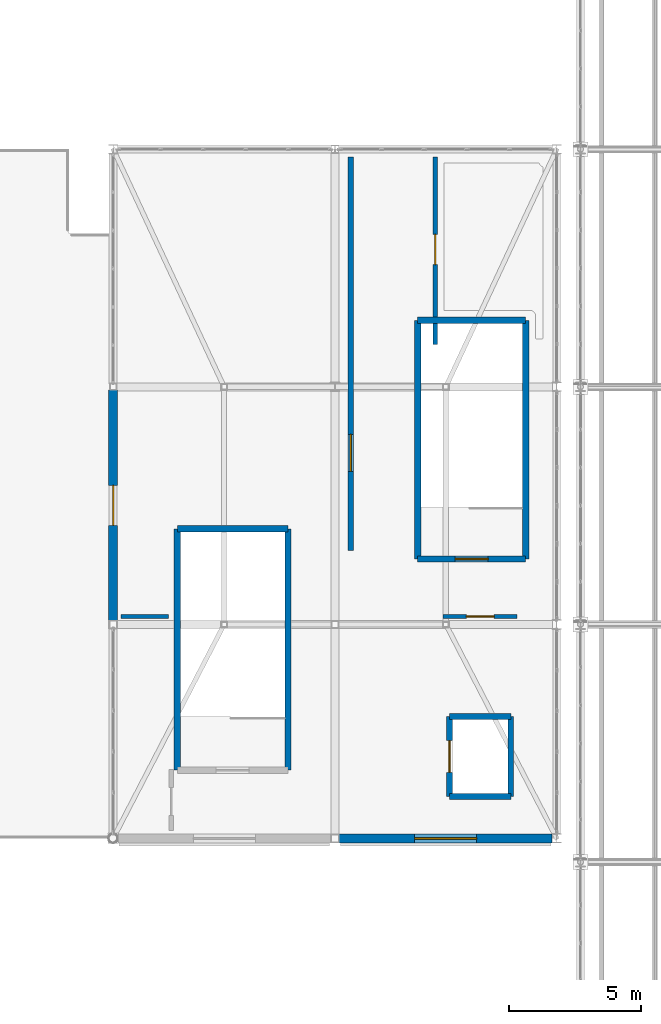
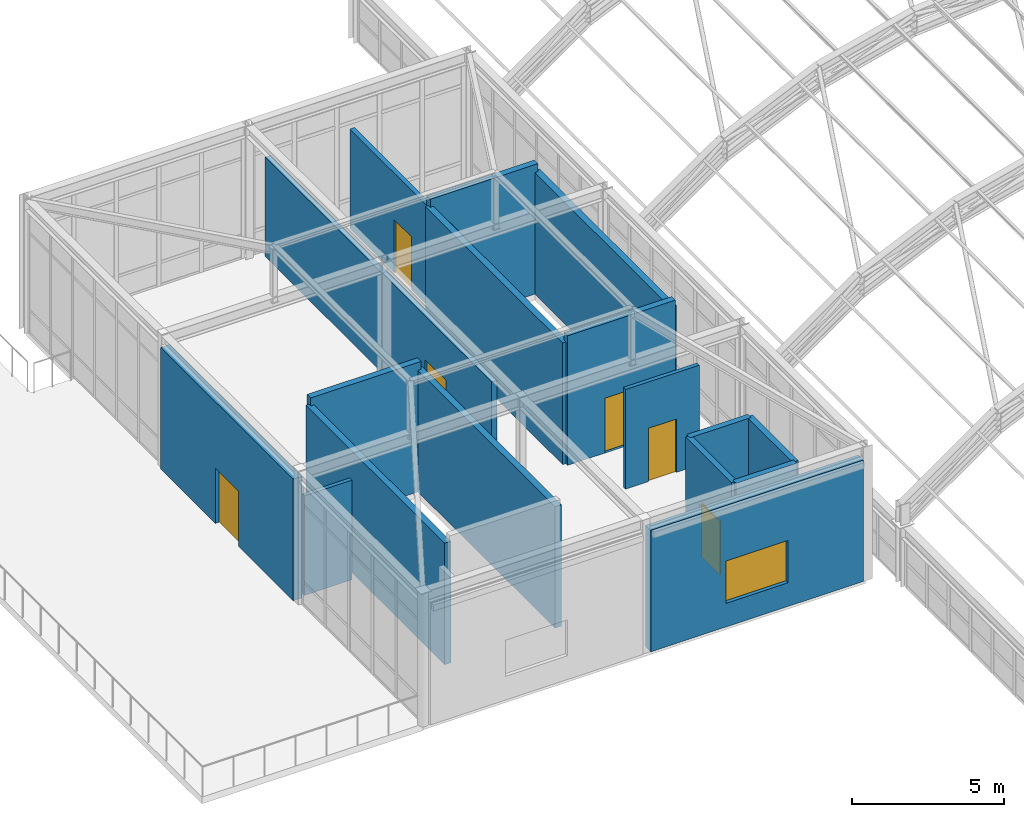
# One storey, part 117 of 121: 17 walls, 6 doors, 1 window, 7 openings.
"""IFC4 building model written with IfcOpenShell, lengths in metres."""

from ifc_helpers import new_model, si_unit, direction, frame, frame_2d, origin, place, context, subcontext, project, spatial, rectangle, extrude, material, layer, layer_set, type_object, element, fill, save


model = new_model("IFC4")

# Units and contexts
model_context = context("Model", 3, precision=1e-05, world=origin(), true_north=direction((0.0, 1.0)))
body_context = subcontext(model_context, "Body", "Model", "MODEL_VIEW")
ifc_project = project(units=[si_unit("LENGTHUNIT", "METRE"), si_unit("AREAUNIT", "SQUARE_METRE"), si_unit("VOLUMEUNIT", "CUBIC_METRE"), si_unit("PLANEANGLEUNIT", "RADIAN"), si_unit("MASSUNIT", "GRAM", prefix="KILO")], contexts=[model_context])

# Site, building, storey
site_placement = place(None, origin())
site = spatial("IfcSite", under=ifc_project, at=site_placement, CompositionType="ELEMENT")
building_placement = place(site_placement, origin())
building = spatial("IfcBuilding", under=site, at=building_placement, Name="Canglan Escarpment Cableway Terminal", CompositionType="ELEMENT")
storey_placement = place(building_placement, frame((0.0, 0.0, 24.60009765625)))
storey = spatial("IfcBuildingStorey", under=building, at=storey_placement, Name="L05", CompositionType="ELEMENT", Elevation=24.60009765625)

# Walls
ifc_material_1 = material(Name="Concrete C40", Category="concrete")
ifc_layer_1 = layer(ifc_material_1, 0.239990234375, Name="Concrete C40")
ifc_layer_set_1 = layer_set([ifc_layer_1], Name="Concrete C40")
wall_type_1 = type_object("IfcWallType", Name="WL-CORE-SHEAR-240", PredefinedType="SHEAR", material=ifc_layer_set_1)
wall_1_placement = place(storey_placement, frame((126.52001953125, 91.47998046875, 0.0), z_axis=(0.0, 0.0, 1.0), x_axis=(0.0, 1.0, 0.0)))
element("IfcWall", 1, at=wall_1_placement, inside=storey, type_object=wall_type_1, Name="Protected stair core wall ST-12 (L05)", PredefinedType="SHEAR", context=body_context, shape_type="SweptSolid", body=[
    extrude(rectangle(XDim=9.14013671875, YDim=0.239990234375, at=frame_2d((4.570068359375, 0.0))), origin(), (0.0, 0.0, 1.0), 4.880859375),
])
wall_2_placement = place(storey_placement, frame((126.52001953125, 100.6201171875, 0.0), z_axis=(0.0, 0.0, 1.0), x_axis=(-1.0, 0.0, 0.0)))
element("IfcWall", 2, at=wall_2_placement, inside=storey, type_object=wall_type_1, Name="Protected stair core wall ST-12 (L05)", PredefinedType="SHEAR", context=body_context, shape_type="SweptSolid", body=[
    extrude(rectangle(XDim=4.18994140625, YDim=0.239990234375, at=frame_2d((2.094970703125, 0.0))), origin(), (0.0, 0.0, 1.0), 5.199951171875),
])
wall_3_placement = place(storey_placement, frame((122.330078125, 100.6201171875, 0.0), z_axis=(0.0, 0.0, 1.0), x_axis=(0.0, -1.0, 0.0)))
element("IfcWall", 3, at=wall_3_placement, inside=storey, type_object=wall_type_1, Name="Protected stair core wall ST-12 (L05)", PredefinedType="SHEAR", context=body_context, shape_type="SweptSolid", body=[
    extrude(rectangle(XDim=9.14013671875, YDim=0.239990234375, at=frame_2d((4.570068359375, 0.0))), origin(), (0.0, 0.0, 1.0), 4.880859375),
])
wall_4_placement = place(storey_placement, frame((135.52001953125, 99.47998046875, 0.0), z_axis=(0.0, 0.0, 1.0), x_axis=(0.0, 1.0, 0.0)))
element("IfcWall", 4, at=wall_4_placement, inside=storey, type_object=wall_type_1, Name="Protected stair core wall ST-18 (L05)", PredefinedType="SHEAR", context=body_context, shape_type="SweptSolid", body=[
    extrude(rectangle(XDim=9.0400390625, YDim=0.239990234375, at=frame_2d((4.52001953125, 0.0))), origin(), (0.0, 0.0, 1.0), 4.880859375),
])
wall_5_placement = place(storey_placement, frame((135.52001953125, 108.52001953125, 0.0), z_axis=(0.0, 0.0, 1.0), x_axis=(-1.0, 0.0, 0.0)))
element("IfcWall", 5, at=wall_5_placement, inside=storey, type_object=wall_type_1, Name="Protected stair core wall ST-18 (L05)", PredefinedType="SHEAR", context=body_context, shape_type="SweptSolid", body=[
    extrude(rectangle(XDim=4.090087890625, YDim=0.239990234375, at=frame_2d((2.044921875, 0.0))), origin(), (0.0, 0.0, 1.0), 5.199951171875),
])
wall_6_placement = place(storey_placement, frame((131.429931640625, 108.52001953125, 0.0), z_axis=(0.0, 0.0, 1.0), x_axis=(0.0, -1.0, 0.0)))
element("IfcWall", 6, at=wall_6_placement, inside=storey, type_object=wall_type_1, Name="Protected stair core wall ST-18 (L05)", PredefinedType="SHEAR", context=body_context, shape_type="SweptSolid", body=[
    extrude(rectangle(XDim=9.0400390625, YDim=0.239990234375, at=frame_2d((4.52001953125, 0.0))), origin(), (0.0, 0.0, 1.0), 4.880859375),
])

# Wall, opening, door
wall_7_placement = place(storey_placement, frame((131.429931640625, 99.47998046875, 0.0), z_axis=(0.0, 0.0, 1.0), x_axis=(1.0, 0.0, 0.0)))
wall_7 = element("IfcWall", 7, at=wall_7_placement, inside=storey, type_object=wall_type_1, Name="Protected stair core wall ST-18 (L05)", PredefinedType="SHEAR", context=body_context, shape_type="SweptSolid", body=[
    extrude(rectangle(XDim=4.090087890625, YDim=0.239990234375, at=frame_2d((2.044921875, 0.0))), origin(), (0.0, 0.0, 1.0), 5.199951171875),
])
opening_1_placement = place(wall_7_placement, frame((1.419921875, 0.0, 0.0)))
opening_1 = element("IfcOpeningElement", 8, at=opening_1_placement, cuts=wall_7, Name="Opening SD-D1", PredefinedType="OPENING", context=body_context, shape_type="SweptSolid", body=[
    extrude(rectangle(XDim=1.25, YDim=2.199951171875, at=frame_2d((0.625, 1.10009765625))), frame((0.0, 0.1298828125, 0.0), z_axis=(0.0, -1.0, 0.0), x_axis=(1.0, 0.0, 0.0)), (0.0, 0.0, 1.0), 0.260009765625),
])
ifc_material_2 = material(Name="Steel fire-resisting stair door", Category="steel")
door_type_1 = type_object("IfcDoorType", Name="DR-STAIR-EI90-1250", OperationType="NOTDEFINED", PredefinedType="DOOR", material=ifc_material_2)
door_1_placement = place(opening_1_placement, origin())
door_1 = element("IfcDoor", 9, at=door_1_placement, inside=storey, type_object=door_type_1, Name="Protected exit stair fire door ST-18 (L05)", OperationType="SINGLE_SWING_LEFT", OverallHeight=2.199951171875, OverallWidth=1.25, PredefinedType="DOOR", context=body_context, shape_type="SweptSolid", body=[
    extrude(rectangle(XDim=1.25, YDim=2.199951171875, at=frame_2d((0.625, 1.10009765625))), frame((0.0, 0.02490234375, 0.0), z_axis=(0.0, -1.0, 0.0), x_axis=(1.0, 0.0, 0.0)), (0.0, 0.0, 1.0), 0.050048828125),
])
fill(opening_1, door_1)

# Wall, opening, window
ifc_material_3 = material(Name="Bush-hammered granite ashlar on Concrete C40", Category="masonry")
ifc_layer_2 = layer(ifc_material_3, 0.340087890625, Name="Bush-hammered granite ashlar on Concrete C40")
ifc_layer_set_2 = layer_set([ifc_layer_2], Name="Bush-hammered granite ashlar on Concrete C40")
wall_type_2 = type_object("IfcWallType", Name="WL-EXT-GRAN-340", PredefinedType="STANDARD", material=ifc_layer_set_2)
wall_8_placement = place(storey_placement, frame((128.449951171875, 88.89990234375, 0.0), z_axis=(0.0, 0.0, 1.0), x_axis=(1.0, 0.0, 0.0)))
wall_8 = element("IfcWall", 10, at=wall_8_placement, inside=storey, type_object=wall_type_2, Name="Classical stone-faced exterior wall EW-FB8-L05-S-02", PredefinedType="STANDARD", context=body_context, shape_type="SweptSolid", body=[
    extrude(rectangle(XDim=8.074951171875, YDim=0.340087890625, at=frame_2d((4.03759765625, 0.0))), origin(), (0.0, 0.0, 1.0), 4.880859375),
])
opening_2_placement = place(wall_8_placement, frame((2.862548828125, 0.0, 0.949951171875)))
opening_2 = element("IfcOpeningElement", 11, at=opening_2_placement, cuts=wall_8, Name="Opening W-22", PredefinedType="OPENING", context=body_context, shape_type="SweptSolid", body=[
    extrude(rectangle(XDim=2.35009765625, YDim=1.699951171875, at=frame_2d((1.175048828125, 0.85009765625))), frame((0.0, 0.18017578125, 0.0), z_axis=(0.0, -1.0, 0.0), x_axis=(1.0, 0.0, 0.0)), (0.0, 0.0, 1.0), 0.360107421875),
])
ifc_material_4 = material(Name="Anodized bronze aluminium and Low-E double glazing", Category="aluminium")
window_type = type_object("IfcWindowType", Name="WIN-EXT-22", PartitioningType="DOUBLE_PANEL_VERTICAL", PredefinedType="WINDOW", material=ifc_material_4)
window_placement = place(opening_2_placement, origin())
window = element("IfcWindow", 12, at=window_placement, inside=storey, type_object=window_type, Name="Classical module window W-22", OverallHeight=1.699951171875, OverallWidth=2.35009765625, PartitioningType="SINGLE_PANEL", PredefinedType="WINDOW", context=body_context, shape_type="SweptSolid", body=[
    extrude(rectangle(XDim=2.35009765625, YDim=1.699951171875, at=frame_2d((1.175048828125, 0.85009765625))), frame((0.0, 0.030029296875, 0.0), z_axis=(0.0, -1.0, 0.0), x_axis=(1.0, 0.0, 0.0)), (0.0, 0.0, 1.0), 0.06005859375),
])
fill(opening_2, window)

# Wall, opening, door
wall_9_placement = place(storey_placement, frame((119.89990234375, 105.875, 0.0), z_axis=(0.0, 0.0, 1.0), x_axis=(0.0, -1.0, 0.0)))
wall_9 = element("IfcWall", 13, at=wall_9_placement, inside=storey, type_object=wall_type_2, Name="Classical stone-faced exterior wall EW-FB8-L05-W-02", PredefinedType="STANDARD", context=body_context, shape_type="SweptSolid", body=[
    extrude(rectangle(XDim=8.72509765625, YDim=0.340087890625, at=frame_2d((4.362548828125, 0.0))), origin(), (0.0, 0.0, 1.0), 4.880859375),
])
opening_3_placement = place(wall_9_placement, frame((3.6025390625, 0.0, 0.0)))
opening_3 = element("IfcOpeningElement", 14, at=opening_3_placement, cuts=wall_9, Name="Opening ED-08", PredefinedType="OPENING", context=body_context, shape_type="SweptSolid", body=[
    extrude(rectangle(XDim=1.52001953125, YDim=2.219970703125, at=frame_2d((0.760009765625, 1.10986328125))), frame((0.0, 0.18017578125, 0.0), z_axis=(0.0, -1.0, 0.0), x_axis=(1.0, 0.0, 0.0)), (0.0, 0.0, 1.0), 0.360107421875),
])
ifc_material_5 = material(Name="Anodized bronze aluminium and tempered safety glass", Category="aluminium")
door_type_2 = type_object("IfcDoorType", Name="DR-EXT-BALC-1520", OperationType="NOTDEFINED", PredefinedType="DOOR", material=ifc_material_5)
door_2_placement = place(opening_3_placement, origin())
door_2 = element("IfcDoor", 15, at=door_2_placement, inside=storey, type_object=door_type_2, Name="Terrace access glazed door ED-08", OperationType="DOUBLE_DOOR_SINGLE_SWING", OverallHeight=2.219970703125, OverallWidth=1.52001953125, PredefinedType="DOOR", context=body_context, shape_type="SweptSolid", body=[
    extrude(rectangle(XDim=1.52001953125, YDim=2.219970703125, at=frame_2d((0.760009765625, 1.10986328125))), frame((0.0, 0.02490234375, 0.0), z_axis=(0.0, -1.0, 0.0), x_axis=(1.0, 0.0, 0.0)), (0.0, 0.0, 1.0), 0.050048828125),
])
fill(opening_3, door_2)

ifc_material_6 = material(Name="Autoclaved aerated concrete blockwork", Category="masonry")
ifc_layer_3 = layer(ifc_material_6, 0.179931640625, Name="Autoclaved aerated concrete blockwork")
ifc_layer_set_3 = layer_set([ifc_layer_3], Name="Autoclaved aerated concrete blockwork")
wall_type_3 = type_object("IfcWallType", Name="WL-INT-FIRE-180-EI60", PredefinedType="PARTITIONING", material=ifc_layer_set_3)
wall_10_placement = place(storey_placement, frame((132.10009765625, 107.60009765625, 0.0), z_axis=(0.0, 0.0, 1.0), x_axis=(0.0, 1.0, 0.0)))
wall_10 = element("IfcWall", 16, at=wall_10_placement, inside=storey, type_object=wall_type_3, Name="Interior partition wall IW-L05-08-MAIN", PredefinedType="PARTITIONING", context=body_context, shape_type="SweptSolid", body=[
    extrude(rectangle(XDim=7.099853515625, YDim=0.179931640625, at=frame_2d((3.5498046875, 0.0))), origin(), (0.0, 0.0, 1.0), 4.0),
])
opening_4_placement = place(wall_10_placement, frame((3.02490234375, 0.0, 0.0)))
opening_4 = element("IfcOpeningElement", 17, at=opening_4_placement, cuts=wall_10, Name="Opening ID-41", PredefinedType="OPENING", context=body_context, shape_type="SweptSolid", body=[
    extrude(rectangle(XDim=1.14990234375, YDim=2.1298828125, at=frame_2d((0.574951171875, 1.06494140625))), frame((0.0, 0.10009765625, 0.0), z_axis=(0.0, -1.0, 0.0), x_axis=(1.0, 0.0, 0.0)), (0.0, 0.0, 1.0), 0.199951171875),
])
ifc_material_7 = material(Name="Stained oak and safety glass door", Category="glass")
door_type_3 = type_object("IfcDoorType", Name="DR-INT-ID-41", OperationType="NOTDEFINED", PredefinedType="DOOR", material=ifc_material_7)
door_3_placement = place(opening_4_placement, origin())
door_3 = element("IfcDoor", 18, at=door_3_placement, inside=storey, type_object=door_type_3, Name="Bullwheel Brake Monitoring Room door ID-41", OperationType="SINGLE_SWING_RIGHT", OverallHeight=2.1298828125, OverallWidth=1.14990234375, PredefinedType="DOOR", context=body_context, shape_type="SweptSolid", body=[
    extrude(rectangle(XDim=1.14990234375, YDim=2.1298828125, at=frame_2d((0.574951171875, 1.06494140625))), frame((0.0, 0.02490234375, 0.0), z_axis=(0.0, -1.0, 0.0), x_axis=(1.0, 0.0, 0.0)), (0.0, 0.0, 1.0), 0.050048828125),
])
fill(opening_4, door_3)

ifc_layer_4 = layer(ifc_material_6, 0.199951171875, Name="Autoclaved aerated concrete blockwork")
ifc_layer_set_4 = layer_set([ifc_layer_4], Name="Autoclaved aerated concrete blockwork")
wall_type_4 = type_object("IfcWallType", Name="WL-INT-FIRE-200-EI90", PredefinedType="PARTITIONING", material=ifc_layer_set_4)
wall_11_placement = place(storey_placement, frame((128.89990234375, 99.800048828125, 0.0), z_axis=(0.0, 0.0, 1.0), x_axis=(0.0, 1.0, 0.0)))
wall_11 = element("IfcWall", 19, at=wall_11_placement, inside=storey, type_object=wall_type_4, Name="Interior partition wall IW-L05-07-MAIN", PredefinedType="PARTITIONING", context=body_context, shape_type="SweptSolid", body=[
    extrude(rectangle(XDim=14.89990234375, YDim=0.199951171875, at=frame_2d((7.449951171875, 0.0))), origin(), (0.0, 0.0, 1.0), 4.0),
])
opening_5_placement = place(wall_11_placement, frame((3.0, 0.0, 0.0)))
opening_5 = element("IfcOpeningElement", 20, at=opening_5_placement, cuts=wall_11, Name="Opening ID-18", PredefinedType="OPENING", context=body_context, shape_type="SweptSolid", body=[
    extrude(rectangle(XDim=1.39990234375, YDim=2.239990234375, at=frame_2d((0.699951171875, 1.1201171875))), frame((0.0, 0.10986328125, 0.0), z_axis=(0.0, -1.0, 0.0), x_axis=(1.0, 0.0, 0.0)), (0.0, 0.0, 1.0), 0.219970703125),
])
ifc_material_8 = material(Name="Fire-rated steel leaf", Category="steel")
door_type_4 = type_object("IfcDoorType", Name="DR-INT-ID-18", OperationType="NOTDEFINED", PredefinedType="DOOR", material=ifc_material_8)
door_4_placement = place(opening_5_placement, origin())
door_4 = element("IfcDoor", 21, at=door_4_placement, inside=storey, type_object=door_type_4, Name="Drive Crane Brake Gallery door ID-18", OperationType="SINGLE_SWING_LEFT", OverallHeight=2.239990234375, OverallWidth=1.39990234375, PredefinedType="DOOR", context=body_context, shape_type="SweptSolid", body=[
    extrude(rectangle(XDim=1.39990234375, YDim=2.239990234375, at=frame_2d((0.699951171875, 1.1201171875))), frame((0.0, 0.02490234375, 0.0), z_axis=(0.0, -1.0, 0.0), x_axis=(1.0, 0.0, 0.0)), (0.0, 0.0, 1.0), 0.050048828125),
])
fill(opening_5, door_4)

ifc_material_9 = material(Name="Acoustic double-stud gypsum partition", Category="gypsum")
ifc_layer_5 = layer(ifc_material_9, 0.14990234375, Name="Acoustic double-stud gypsum partition")
ifc_layer_set_5 = layer_set([ifc_layer_5], Name="Acoustic double-stud gypsum partition")
wall_type_5 = type_object("IfcWallType", Name="WL-INT-PART-150", PredefinedType="PARTITIONING", material=ifc_layer_set_5)
wall_12_placement = place(storey_placement, frame((132.39990234375, 97.300048828125, 0.0), z_axis=(0.0, 0.0, 1.0), x_axis=(1.0, 0.0, 0.0)))
wall_12 = element("IfcWall", 22, at=wall_12_placement, inside=storey, type_object=wall_type_5, Name="Interior partition wall IW-L05-09-MAIN", PredefinedType="PARTITIONING", context=body_context, shape_type="SweptSolid", body=[
    extrude(rectangle(XDim=2.800048828125, YDim=0.14990234375, at=frame_2d((1.39990234375, 0.0))), origin(), (0.0, 0.0, 1.0), 4.0),
])
opening_6_placement = place(wall_12_placement, frame((0.875, 0.0, 0.0)))
opening_6 = element("IfcOpeningElement", 23, at=opening_6_placement, cuts=wall_12, Name="Opening ID-30", PredefinedType="OPENING", context=body_context, shape_type="SweptSolid", body=[
    extrude(rectangle(XDim=1.050048828125, YDim=2.139892578125, at=frame_2d((0.52490234375, 1.06982421875))), frame((0.0, 0.0849609375, 0.0), z_axis=(0.0, -1.0, 0.0), x_axis=(1.0, 0.0, 0.0)), (0.0, 0.0, 1.0), 0.169921875),
])
door_type_5 = type_object("IfcDoorType", Name="DR-INT-ID-30", OperationType="NOTDEFINED", PredefinedType="DOOR", material=ifc_material_7)
door_5_placement = place(opening_6_placement, origin())
door_5 = element("IfcDoor", 24, at=door_5_placement, inside=storey, type_object=door_type_5, Name="Escarpment Panorama Lounge door ID-30", OperationType="SINGLE_SWING_LEFT", OverallHeight=2.139892578125, OverallWidth=1.050048828125, PredefinedType="DOOR", context=body_context, shape_type="SweptSolid", body=[
    extrude(rectangle(XDim=1.050048828125, YDim=2.139892578125, at=frame_2d((0.52490234375, 1.06982421875))), frame((0.0, 0.02490234375, 0.0), z_axis=(0.0, -1.0, 0.0), x_axis=(1.0, 0.0, 0.0)), (0.0, 0.0, 1.0), 0.050048828125),
])
fill(opening_6, door_5)

# Walls
wall_13_placement = place(storey_placement, frame((120.199951171875, 97.300048828125, 0.0), z_axis=(0.0, 0.0, 1.0), x_axis=(1.0, 0.0, 0.0)))
element("IfcWall", 25, at=wall_13_placement, inside=storey, type_object=wall_type_5, Name="Interior partition wall IW-L05-10-SIDE", PredefinedType="PARTITIONING", context=body_context, shape_type="SweptSolid", body=[
    extrude(rectangle(XDim=1.800048828125, YDim=0.14990234375, at=frame_2d((0.89990234375, 0.0))), origin(), (0.0, 0.0, 1.0), 4.0),
])
ifc_layer_6 = layer(ifc_material_1, 0.219970703125, Name="Concrete C40")
ifc_layer_set_6 = layer_set([ifc_layer_6], Name="Concrete C40")
wall_type_6 = type_object("IfcWallType", Name="WL-SHAFT-SHEAR-220", PredefinedType="SHEAR", material=ifc_layer_set_6)
wall_14_placement = place(storey_placement, frame((132.639892578125, 90.489990234375, 0.0), z_axis=(0.0, 0.0, 1.0), x_axis=(1.0, 0.0, 0.0)))
element("IfcWall", 26, at=wall_14_placement, inside=storey, type_object=wall_type_6, Name="Elevator core shaft wall LF-08 (L05)", PredefinedType="SHEAR", context=body_context, shape_type="SweptSolid", body=[
    extrude(rectangle(XDim=2.320068359375, YDim=0.219970703125, at=frame_2d((1.16015625, 0.0))), origin(), (0.0, 0.0, 1.0), 4.2998046875),
])
wall_15_placement = place(storey_placement, frame((134.9599609375, 90.489990234375, 0.0), z_axis=(0.0, 0.0, 1.0), x_axis=(0.0, 1.0, 0.0)))
element("IfcWall", 27, at=wall_15_placement, inside=storey, type_object=wall_type_6, Name="Elevator core shaft wall LF-08 (L05)", PredefinedType="SHEAR", context=body_context, shape_type="SweptSolid", body=[
    extrude(rectangle(XDim=3.02001953125, YDim=0.219970703125, at=frame_2d((1.510009765625, 0.0))), origin(), (0.0, 0.0, 1.0), 4.2998046875),
])
wall_16_placement = place(storey_placement, frame((134.9599609375, 93.510009765625, 0.0), z_axis=(0.0, 0.0, 1.0), x_axis=(-1.0, 0.0, 0.0)))
element("IfcWall", 28, at=wall_16_placement, inside=storey, type_object=wall_type_6, Name="Elevator core shaft wall LF-08 (L05)", PredefinedType="SHEAR", context=body_context, shape_type="SweptSolid", body=[
    extrude(rectangle(XDim=2.320068359375, YDim=0.219970703125, at=frame_2d((1.16015625, 0.0))), origin(), (0.0, 0.0, 1.0), 4.2998046875),
])

# Wall, opening, door
wall_17_placement = place(storey_placement, frame((132.639892578125, 93.510009765625, 0.0), z_axis=(0.0, 0.0, 1.0), x_axis=(0.0, -1.0, 0.0)))
wall_17 = element("IfcWall", 29, at=wall_17_placement, inside=storey, type_object=wall_type_6, Name="Elevator core shaft wall LF-08 (L05)", PredefinedType="SHEAR", context=body_context, shape_type="SweptSolid", body=[
    extrude(rectangle(XDim=3.02001953125, YDim=0.219970703125, at=frame_2d((1.510009765625, 0.0))), origin(), (0.0, 0.0, 1.0), 4.2998046875),
])
opening_7_placement = place(wall_17_placement, frame((0.909912109375, 0.0, 0.0)))
opening_7 = element("IfcOpeningElement", 30, at=opening_7_placement, cuts=wall_17, Name="Opening LD-02", PredefinedType="OPENING", context=body_context, shape_type="SweptSolid", body=[
    extrude(rectangle(XDim=1.199951171875, YDim=2.14990234375, at=frame_2d((0.60009765625, 1.074951171875))), frame((0.0, 0.1201171875, 0.0), z_axis=(0.0, -1.0, 0.0), x_axis=(1.0, 0.0, 0.0)), (0.0, 0.0, 1.0), 0.239990234375),
])
ifc_material_10 = material(Name="Fire-rated stainless steel lift landing door", Category="steel")
door_type_6 = type_object("IfcDoorType", Name="DR-LIFT-FIRE-1200", OperationType="DOUBLE_DOOR_SLIDING", PredefinedType="DOOR", material=ifc_material_10)
door_6_placement = place(opening_7_placement, origin())
door_6 = element("IfcDoor", 31, at=door_6_placement, inside=storey, type_object=door_type_6, Name="Elevator sliding landing door LF-08 (L05)", OperationType="DOUBLE_DOOR_SLIDING", OverallHeight=2.14990234375, OverallWidth=1.199951171875, PredefinedType="DOOR", context=body_context, shape_type="SweptSolid", body=[
    extrude(rectangle(XDim=1.199951171875, YDim=2.14990234375, at=frame_2d((0.60009765625, 1.074951171875))), frame((0.0, 0.02490234375, 0.0), z_axis=(0.0, -1.0, 0.0), x_axis=(1.0, 0.0, 0.0)), (0.0, 0.0, 1.0), 0.050048828125),
])
fill(opening_7, door_6)

save(model, "model.ifc")
